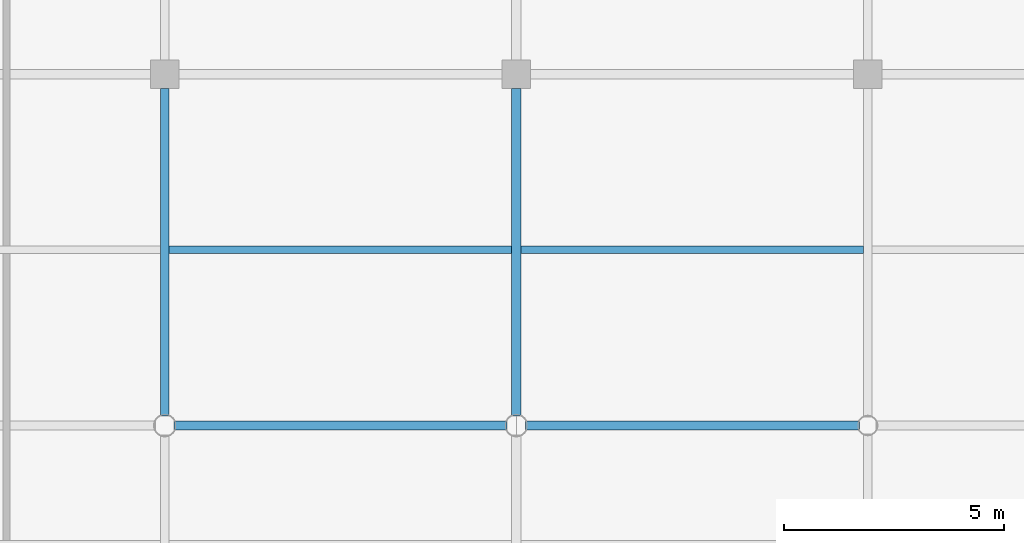
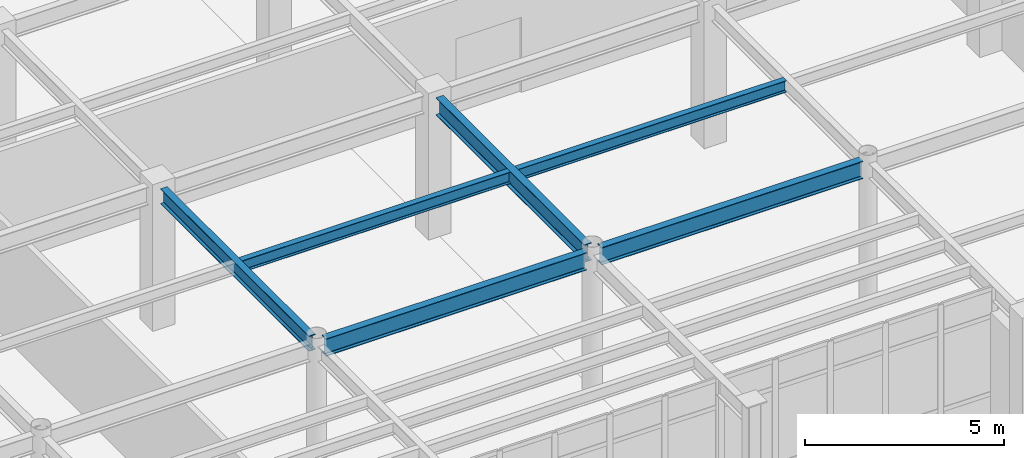
# One storey, part 47 of 111: 6 beams.
"""IFC4 building model written with IfcOpenShell, lengths in metres."""

import ifcopenshell
import ifcopenshell.guid

model = None  # the IFC model being written
_history = None  # IfcOwnerHistory: only IFC2X3 demands one
_inside = {}  # id of a spatial element -> (the spatial element, [elements in it])
_under = {}  # id of a project, library or spatial element -> (it, [spatial elements below it])
_declared = {}  # id of a project -> (the project, [libraries it declares])
_typed = {}  # id of a type object -> (the type object, [elements of that type])
_made_of = {}  # id of a material, layer set ... -> (it, [elements and type objects made of it])


def new_model(schema):
    """Start an empty IFC model of exactly this schema.

    Asked for "IFC4X3", IfcOpenShell would pick the latest addendum, in which some entities
    have other attributes; the version numbers below select the first issue.
    IFC2X3 requires an IfcOwnerHistory on every rooted entity: one is made here for all.
    """
    global model, _history
    if schema == "IFC4X3":
        model = ifcopenshell.file(schema_version=(4, 3, 0, 0))
    else:
        model = ifcopenshell.file(schema=schema)
    _inside.clear()
    _under.clear()
    _declared.clear()
    _typed.clear()
    _made_of.clear()
    _history = None
    if model.schema == "IFC2X3":
        org = make("IfcOrganization", Name="unknown")
        user = make(
            "IfcPersonAndOrganization",
            ThePerson=make("IfcPerson", FamilyName="unknown"),
            TheOrganization=org,
        )
        app = make(
            "IfcApplication",
            ApplicationDeveloper=org,
            Version="unknown",
            ApplicationFullName="unknown",
            ApplicationIdentifier="unknown",
        )
        _history = make(
            "IfcOwnerHistory",
            OwningUser=user,
            OwningApplication=app,
            ChangeAction="ADDED",
            CreationDate=0,
        )
    return model


def make(cls, **values):
    """One entity of the class cls with the attributes given. An attribute that is None is left unset."""
    return model.create_entity(
        cls, **{name: value for name, value in values.items() if value is not None}
    )


def rooted(cls, **values):
    """An entity with a GlobalId (a new one), such as an element, a storey or a relation."""
    return make(cls, GlobalId=ifcopenshell.guid.new(), OwnerHistory=_history, **values)


def si_unit(unit_type, name, prefix=None):
    """IfcSIUnit, for example si_unit("LENGTHUNIT", "METRE", prefix="MILLI")."""
    return make("IfcSIUnit", UnitType=unit_type, Prefix=prefix, Name=name)


def assignment(units):
    """IfcUnitAssignment: the units of a project."""
    return None if units is None else make("IfcUnitAssignment", Units=units)


def point(xyz):
    """IfcCartesianPoint."""
    return None if xyz is None else make("IfcCartesianPoint", Coordinates=xyz)


def direction(xyz):
    """IfcDirection."""
    return None if xyz is None else make("IfcDirection", DirectionRatios=xyz)


def frame(location, z_axis=None, x_axis=None):
    """IfcAxis2Placement3D, a coordinate frame: its origin and axes. An axis left out is left unset."""
    return make(
        "IfcAxis2Placement3D",
        Location=point(location),
        Axis=direction(z_axis),
        RefDirection=direction(x_axis),
    )


def frame_2d(location, x_axis=None):
    """IfcAxis2Placement2D, a coordinate frame in the plane: its origin and x axis."""
    return make(
        "IfcAxis2Placement2D", Location=point(location), RefDirection=direction(x_axis)
    )


def origin():
    """The frame at (0, 0, 0) with its axes left unset."""
    return frame((0.0, 0.0, 0.0))


def origin_2d():
    """The frame at (0, 0) in the plane with its x axis left unset."""
    return frame_2d((0.0, 0.0))


def place(relative_to, where):
    """IfcLocalPlacement: puts the frame where relative to a parent placement (None: the world)."""
    return make(
        "IfcLocalPlacement", PlacementRelTo=relative_to, RelativePlacement=where
    )


def context(
    kind, dimensions, precision=None, world=None, true_north=None, identifier=None
):
    """IfcGeometricRepresentationContext, for example the 3D "Model" context."""
    return make(
        "IfcGeometricRepresentationContext",
        ContextIdentifier=identifier,
        ContextType=kind,
        CoordinateSpaceDimension=dimensions,
        Precision=precision,
        WorldCoordinateSystem=world,
        TrueNorth=true_north,
    )


def subcontext(parent, identifier, kind, view, scale=None):
    """IfcGeometricRepresentationSubContext, for example "Body" below "Model"."""
    return make(
        "IfcGeometricRepresentationSubContext",
        ContextIdentifier=identifier,
        ContextType=kind,
        ParentContext=parent,
        TargetScale=scale,
        TargetView=view,
    )


def project(units=None, contexts=None):
    """IfcProject with its units and contexts."""
    return rooted(
        "IfcProject",
        Name="project",
        RepresentationContexts=contexts,
        UnitsInContext=assignment(units),
    )


def spatial(cls, under=None, at=None, **own):
    """A site, building, storey or space (cls), placed at a placement, below another one or the project."""
    s = rooted(cls, ObjectPlacement=at, **own)
    if under is not None:
        _under.setdefault(under.id(), (under, []))[1].append(s)
    return s


def profile(cls, at=None, kind="AREA", **sizes):
    """A parametric profile (cls). Its sizes go by their IFC names, for example OverallWidth=200.0."""
    return make(cls, ProfileType=kind, Position=at, **sizes)


def i_section(**sizes):
    """IfcIShapeProfileDef."""
    return profile("IfcIShapeProfileDef", **sizes)


def extrude(swept, where, along, depth):
    """IfcExtrudedAreaSolid: the profile swept, set in the frame where, extruded along a direction by depth."""
    return make(
        "IfcExtrudedAreaSolid",
        SweptArea=swept,
        Position=where,
        ExtrudedDirection=direction(along),
        Depth=depth,
    )


def shape(context_of_items, identifier, shape_type, items):
    """IfcShapeRepresentation: the items that make up one representation, for example the "Body"."""
    return make(
        "IfcShapeRepresentation",
        ContextOfItems=context_of_items,
        RepresentationIdentifier=identifier,
        RepresentationType=shape_type,
        Items=items,
    )


def material(Name=None, Category=None):
    """IfcMaterial."""
    return make("IfcMaterial", Name=Name, Category=Category)


def material_profile(
    of_material, cross_section, Name=None, Category=None, Priority=None
):
    """IfcMaterialProfile: a cross section and its material."""
    return make(
        "IfcMaterialProfile",
        Name=Name,
        Material=of_material,
        Profile=cross_section,
        Priority=Priority,
        Category=Category,
    )


def profile_set(profiles, Name=None, composite=None):
    """IfcMaterialProfileSet."""
    return make(
        "IfcMaterialProfileSet",
        Name=Name,
        MaterialProfiles=profiles,
        CompositeProfile=composite,
    )


def made_of(thing, what):
    """Note that an element or type object is made of a material, layer set ...; save() writes the relation."""
    if what is not None:
        _made_of.setdefault(what.id(), (what, []))[1].append(thing)
    return thing


def type_object(cls, material=None, **own):
    """A type object (cls), such as IfcWallType, which elements share."""
    return made_of(rooted(cls, **own), material)


def element(
    cls,
    number,
    at=None,
    inside=None,
    cuts=None,
    type_object=None,
    material=None,
    context=None,
    identifier="Body",
    shape_type=None,
    held_by="IfcProductDefinitionShape",
    body=None,
    shapes=None,
    **own,
):
    """One element of the class cls, such as IfcWall. Its Tag is "e" and its number.

    at: its placement. inside: the storey or other place that contains it. cuts: it is an
    opening in that element (IfcRelVoidsElement). A single representation is given by context,
    identifier, shape_type and body (its items); several are given by shapes. held_by: the class
    of the entity that holds the representations. save() writes the other relations.
    """
    e = rooted(cls, Tag="e%d" % number, ObjectPlacement=at, **own)
    if body is not None:
        shapes = [shape(context, identifier, shape_type, body)]
    if shapes is not None:
        e.Representation = make(held_by, Representations=shapes)
    if inside is not None:
        _inside.setdefault(inside.id(), (inside, []))[1].append(e)
    if cuts is not None:
        rooted(
            "IfcRelVoidsElement", RelatingBuildingElement=cuts, RelatedOpeningElement=e
        )
    if type_object is not None:
        _typed.setdefault(type_object.id(), (type_object, []))[1].append(e)
    return made_of(e, material)


def aggregate(whole, parts):
    """IfcRelAggregates: a whole, such as a stair, and the parts it consists of."""
    return rooted("IfcRelAggregates", RelatingObject=whole, RelatedObjects=parts)


def save(model, path):
    """Write the relations noted so far, then the file.

    IfcRelAggregates (storeys below a building ...), IfcRelContainedInSpatialStructure (elements
    in a storey), IfcRelDefinesByType, IfcRelAssociatesMaterial and IfcRelDeclares: one each for
    every whole, place, type object, material and project.
    """
    for whole, parts in _under.values():
        aggregate(whole, parts)
    for where, things in _inside.values():
        rooted(
            "IfcRelContainedInSpatialStructure",
            RelatedElements=things,
            RelatingStructure=where,
        )
    for kind, things in _typed.values():
        rooted("IfcRelDefinesByType", RelatedObjects=things, RelatingType=kind)
    for what, things in _made_of.values():
        rooted("IfcRelAssociatesMaterial", RelatedObjects=things, RelatingMaterial=what)
    for by, libraries in _declared.values():
        rooted("IfcRelDeclares", RelatingContext=by, RelatedDefinitions=libraries)
    model.write(path)


model = new_model("IFC4")

# Units and contexts
model_context = context("Model", 3, precision=1e-05, world=origin(), true_north=direction((0.0, 1.0)))
body_context = subcontext(model_context, "Body", "Model", "MODEL_VIEW")
ifc_project = project(units=[si_unit("LENGTHUNIT", "METRE"), si_unit("AREAUNIT", "SQUARE_METRE"), si_unit("VOLUMEUNIT", "CUBIC_METRE"), si_unit("PLANEANGLEUNIT", "RADIAN"), si_unit("MASSUNIT", "GRAM", prefix="KILO")], contexts=[model_context])

# Site, building, storey
site_placement = place(None, origin())
site = spatial("IfcSite", under=ifc_project, at=site_placement, CompositionType="ELEMENT")
building_placement = place(site_placement, origin())
building = spatial("IfcBuilding", under=site, at=building_placement, Name="Solmirada Galleria", CompositionType="ELEMENT")
storey_placement = place(building_placement, frame((0.0, 0.0, 10.39990234375)))
storey = spatial("IfcBuildingStorey", under=building, at=storey_placement, Name="L02", CompositionType="ELEMENT", Elevation=10.39990234375)

# Beams
ifc_material = material(Name="Steel S355 / ASTM A992 Grade 50", Category="steel")
ifc_material_profile_1 = material_profile(ifc_material, i_section(OverallWidth=0.194091796875, OverallDepth=0.468994140625, WebThickness=0.0126953125, FlangeThickness=0.0205078125, FilletRadius=0.013916015625, at=origin_2d()), Name="W18X71")
ifc_profile_set_1 = profile_set([ifc_material_profile_1], Name="Steel S355 / ASTM A992 Grade 50")
beam_type_1 = type_object("IfcBeamType", Name="BM-GIRD-W18B", PredefinedType="BEAM", material=ifc_profile_set_1)
beam_1_placement = place(storey_placement, frame((72.0, 88.21337890625, 4.065673828125), z_axis=(0.0, 1.0, 0.0), x_axis=(-1.0, 0.0, 0.0)))
element("IfcBeam", 1, at=beam_1_placement, inside=storey, type_object=beam_type_1, Name="Primary girder L03 Y(72, 88..96)", PredefinedType="BEAM", context=body_context, shape_type="SweptSolid", body=[
    extrude(i_section(OverallWidth=0.194091796875, OverallDepth=0.468994140625, WebThickness=0.0126953125, FlangeThickness=0.0205078125, FilletRadius=0.013916015625, at=origin_2d()), origin(), (0.0, 0.0, 1.0), 7.461669921875),
])
ifc_material_profile_2 = material_profile(ifc_material, i_section(OverallWidth=0.2099609375, OverallDepth=0.537109375, WebThickness=0.010986328125, FlangeThickness=0.017333984375, FilletRadius=0.014892578125, at=origin_2d()), Name="W21X68")
ifc_profile_set_2 = profile_set([ifc_material_profile_2], Name="Steel S355 / ASTM A992 Grade 50")
beam_type_2 = type_object("IfcBeamType", Name="BM-GIRD-W21B", PredefinedType="BEAM", material=ifc_profile_set_2)
beam_2_placement = place(storey_placement, frame((72.21337890625, 88.0, 4.031494140625), z_axis=(1.0, 0.0, 0.0), x_axis=(0.0, 1.0, 0.0)))
element("IfcBeam", 2, at=beam_2_placement, inside=storey, type_object=beam_type_2, Name="Primary beam L03 X(72..80, 88)", PredefinedType="BEAM", context=body_context, shape_type="SweptSolid", body=[
    extrude(i_section(OverallWidth=0.2099609375, OverallDepth=0.537109375, WebThickness=0.010986328125, FlangeThickness=0.017333984375, FilletRadius=0.014892578125, at=origin_2d()), origin(), (0.0, 0.0, 1.0), 7.5732421875),
])
beam_3_placement = place(storey_placement, frame((80.21337890625, 88.0, 4.031494140625), z_axis=(1.0, 0.0, 0.0), x_axis=(0.0, 1.0, 0.0)))
element("IfcBeam", 3, at=beam_3_placement, inside=storey, type_object=beam_type_2, Name="Primary beam L03 X(80..88, 88)", PredefinedType="BEAM", context=body_context, shape_type="SweptSolid", body=[
    extrude(i_section(OverallWidth=0.2099609375, OverallDepth=0.537109375, WebThickness=0.010986328125, FlangeThickness=0.017333984375, FilletRadius=0.014892578125, at=origin_2d()), origin(), (0.0, 0.0, 1.0), 7.5947265625),
])
beam_4_placement = place(storey_placement, frame((80.0, 88.21337890625, 4.031494140625), z_axis=(0.0, 1.0, 0.0), x_axis=(-1.0, 0.0, 0.0)))
element("IfcBeam", 4, at=beam_4_placement, inside=storey, type_object=beam_type_2, Name="Primary girder L03 Y(80, 88..96)", PredefinedType="BEAM", context=body_context, shape_type="SweptSolid", body=[
    extrude(i_section(OverallWidth=0.2099609375, OverallDepth=0.537109375, WebThickness=0.010986328125, FlangeThickness=0.017333984375, FilletRadius=0.014892578125, at=origin_2d()), origin(), (0.0, 0.0, 1.0), 7.461669921875),
])
ifc_material_profile_3 = material_profile(ifc_material, i_section(OverallWidth=0.172119140625, OverallDepth=0.35791015625, WebThickness=0.0078125, FlangeThickness=0.01318359375, FilletRadius=0.011962890625, at=origin_2d()), Name="W14X38")
ifc_profile_set_3 = profile_set([ifc_material_profile_3], Name="Steel S355 / ASTM A992 Grade 50")
beam_type_3 = type_object("IfcBeamType", Name="BM-JST-W14A", PredefinedType="JOIST", material=ifc_profile_set_3)
for number, where, z_axis, x_axis, name in (
    (5, (72.096923828125, 92.0, 4.12109375), (1.0, 0.0, 0.0), (0.0, 1.0, 0.0), "Composite floor joist L03 (72..80, 92.0)"),
    (6, (80.10498046875, 92.0, 4.12109375), (1.0, 0.0, 0.0), (0.0, 1.0, 0.0), "Composite floor joist L03 (80..88, 92.0)"),
):
    element("IfcBeam", number, at=place(storey_placement, frame(where, z_axis=z_axis, x_axis=x_axis)), inside=storey, type_object=beam_type_3, Name=name, PredefinedType="JOIST", context=body_context, shape_type="SweptSolid", body=[
        extrude(i_section(OverallWidth=0.172119140625, OverallDepth=0.35791015625, WebThickness=0.0078125, FlangeThickness=0.01318359375, FilletRadius=0.011962890625, at=origin_2d()), origin(), (0.0, 0.0, 1.0), 7.798095703125),
    ])

save(model, "model.ifc")
